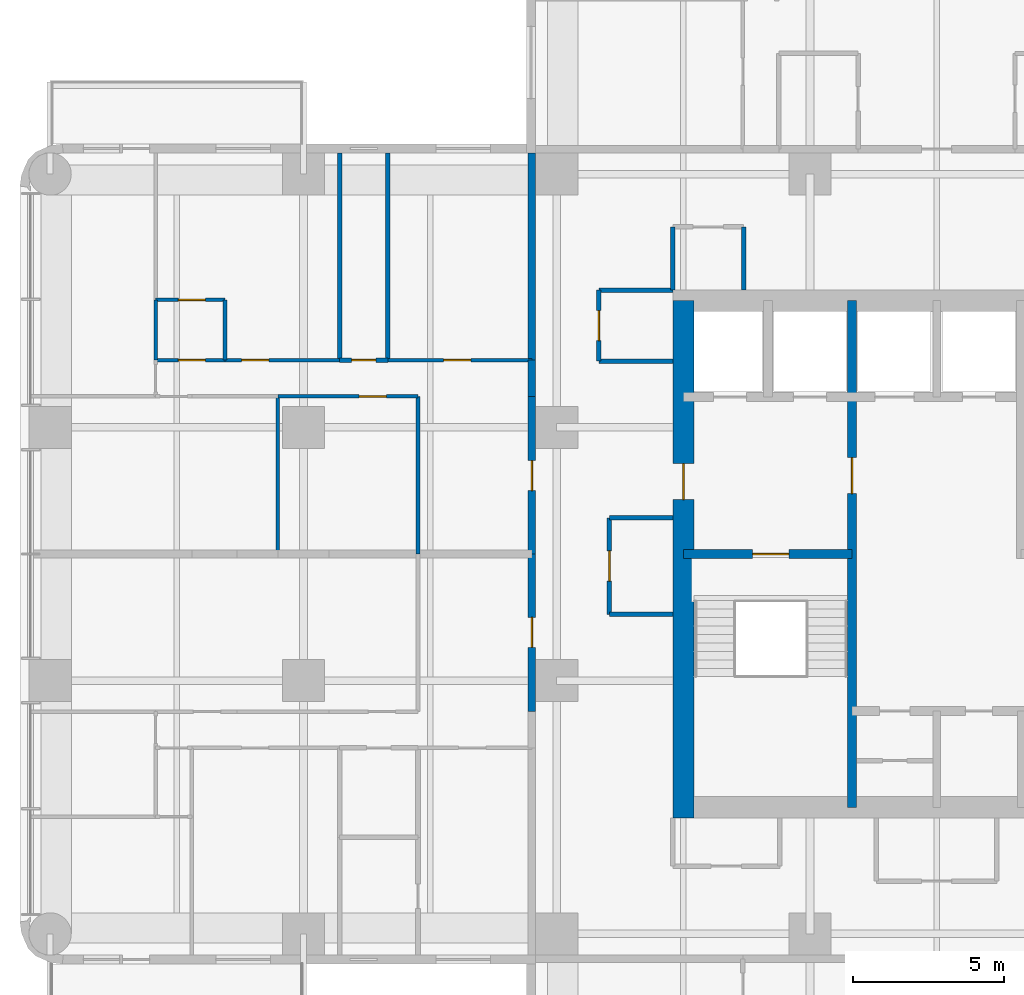
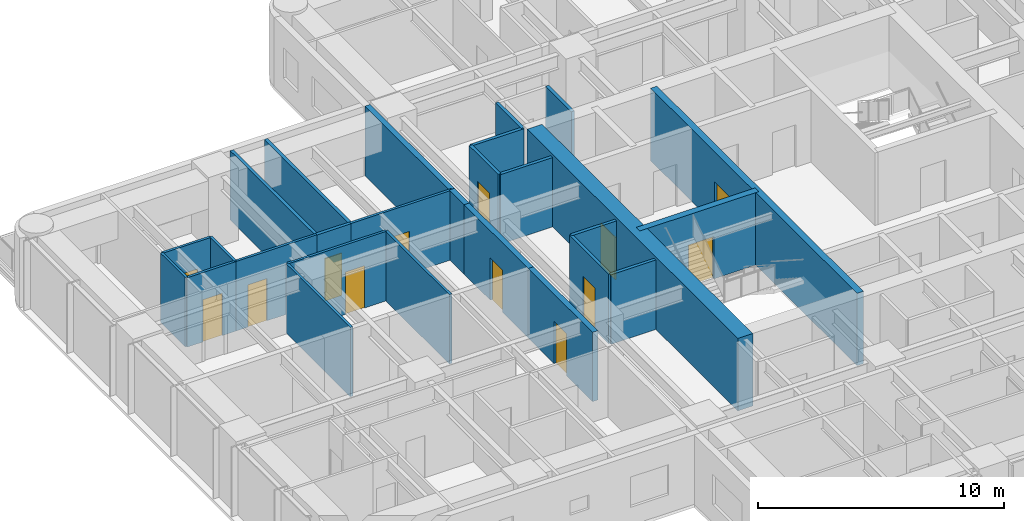
# One storey, part 6 of 12: 27 walls, 13 doors, 13 openings.
"""IFC4 building model written with IfcOpenShell, lengths in metres."""

from ifc_helpers import new_model, si_unit, direction, frame, frame_2d, origin, place, context, subcontext, project, spatial, rectangle, extrude, material, layer, layer_set, type_object, element, fill, save


model = new_model("IFC4")

# Units and contexts
model_context = context("Model", 3, precision=1e-05, world=origin(), true_north=direction((0.0, 1.0)))
body_context = subcontext(model_context, "Body", "Model", "MODEL_VIEW")
ifc_project = project(units=[si_unit("LENGTHUNIT", "METRE"), si_unit("AREAUNIT", "SQUARE_METRE"), si_unit("VOLUMEUNIT", "CUBIC_METRE"), si_unit("PLANEANGLEUNIT", "RADIAN"), si_unit("MASSUNIT", "GRAM", prefix="KILO")], contexts=[model_context])

# Site, building, storey
site_placement = place(None, origin())
site = spatial("IfcSite", under=ifc_project, at=site_placement, CompositionType="ELEMENT")
building_placement = place(site_placement, origin())
building = spatial("IfcBuilding", under=site, at=building_placement, Name="Torre Alcanfor", CompositionType="ELEMENT")
storey_placement = place(building_placement, frame((0.0, 0.0, 226.5)))
storey = spatial("IfcBuildingStorey", under=building, at=storey_placement, Name="L59", CompositionType="ELEMENT", Elevation=226.5)

# Wall, opening, door
ifc_material_1 = material(Name="Concrete block masonry, hollow blocks NMX-C-404 9 MPa", Category="masonry")
ifc_layer_1 = layer(ifc_material_1, 0.25)
ifc_layer_set_1 = layer_set([ifc_layer_1], Name="Apartment entrance wall 250 EI 60")
wall_type_1 = type_object("IfcWallType", Name="Apartment entrance wall 250 EI 60", PredefinedType="PARTITIONING", material=ifc_layer_set_1)
wall_1_placement = place(storey_placement, frame((15.97509765625, 24.1708984375, 0.0), z_axis=(0.0, 0.0, 1.0), x_axis=(0.0, 1.0, 0.0)))
wall_1 = element("IfcWall", 1, at=wall_1_placement, inside=storey, type_object=wall_type_1, Name="Partition L59-CORR / L59-W1-ZAG", PredefinedType="PARTITIONING", context=body_context, shape_type="SweptSolid", body=[
    extrude(rectangle(XDim=5.22900390625, YDim=0.25, at=frame_2d((2.614501953125, 0.0))), origin(), (0.0, 0.0, 1.0), 3.449951171875),
])
opening_1_placement = place(wall_1_placement, frame((2.12890625, 0.0, 0.0)))
opening_1 = element("IfcOpeningElement", 2, at=opening_1_placement, cuts=wall_1, Name="Opening D-A1", PredefinedType="OPENING", context=body_context, shape_type="SweptSolid", body=[
    extrude(rectangle(XDim=1.0, YDim=2.10009765625, at=frame_2d((0.5, 1.050048828125))), frame((0.0, 0.135009765625, 0.0), z_axis=(0.0, -1.0, 0.0), x_axis=(1.0, 0.0, 0.0)), (0.0, 0.0, 1.0), 0.27001953125),
])
ifc_material_2 = material(Name="Galvanised steel sheet ASTM A653", Category="steel")
door_type_1 = type_object("IfcDoorType", Name="Apartment entrance door FD60 1000x2100", OperationType="SINGLE_SWING_LEFT", PredefinedType="DOOR", material=ifc_material_2)
door_1_placement = place(opening_1_placement, origin())
door_1 = element("IfcDoor", 3, at=door_1_placement, inside=storey, type_object=door_type_1, Name="Apartment entrance L59-W1", OperationType="SINGLE_SWING_RIGHT", OverallHeight=2.10009765625, OverallWidth=1.0, PredefinedType="DOOR", context=body_context, shape_type="SweptSolid", body=[
    extrude(rectangle(XDim=1.0, YDim=2.10009765625, at=frame_2d((0.5, 1.050048828125))), frame((0.0, 0.02490234375, 0.0), z_axis=(0.0, -1.0, 0.0), x_axis=(1.0, 0.0, 0.0)), (0.0, 0.0, 1.0), 0.050048828125),
])
fill(opening_1, door_1)

wall_2_placement = place(storey_placement, frame((15.97509765625, 29.39990234375, 0.0), z_axis=(0.0, 0.0, 1.0), x_axis=(0.0, 1.0, 0.0)))
wall_2 = element("IfcWall", 4, at=wall_2_placement, inside=storey, type_object=wall_type_1, Name="Partition L59-CORR / L59-W2-ZAG", PredefinedType="PARTITIONING", context=body_context, shape_type="SweptSolid", body=[
    extrude(rectangle(XDim=5.22900390625, YDim=0.25, at=frame_2d((2.614501953125, 0.0))), origin(), (0.0, 0.0, 1.0), 3.449951171875),
])
opening_2_placement = place(wall_2_placement, frame((2.10009765625, 0.0, 0.0)))
opening_2 = element("IfcOpeningElement", 5, at=opening_2_placement, cuts=wall_2, Name="Opening D-A1", PredefinedType="OPENING", context=body_context, shape_type="SweptSolid", body=[
    extrude(rectangle(XDim=1.0, YDim=2.10009765625, at=frame_2d((0.5, 1.050048828125))), frame((0.0, 0.135009765625, 0.0), z_axis=(0.0, -1.0, 0.0), x_axis=(1.0, 0.0, 0.0)), (0.0, 0.0, 1.0), 0.27001953125),
])
door_2_placement = place(opening_2_placement, origin())
door_2 = element("IfcDoor", 6, at=door_2_placement, inside=storey, type_object=door_type_1, Name="Apartment entrance L59-W2", OperationType="SINGLE_SWING_LEFT", OverallHeight=2.10009765625, OverallWidth=1.0, PredefinedType="DOOR", context=body_context, shape_type="SweptSolid", body=[
    extrude(rectangle(XDim=1.0, YDim=2.10009765625, at=frame_2d((0.5, 1.050048828125))), frame((0.0, 0.02490234375, 0.0), z_axis=(0.0, -1.0, 0.0), x_axis=(1.0, 0.0, 0.0)), (0.0, 0.0, 1.0), 0.050048828125),
])
fill(opening_2, door_2)

# Walls
wall_3_placement = place(storey_placement, frame((15.97509765625, 34.62890625, 0.0), z_axis=(0.0, 0.0, 1.0), x_axis=(0.0, 1.0, 0.0)))
element("IfcWall", 7, at=wall_3_placement, inside=storey, type_object=wall_type_1, Name="Partition L59-CORR / L59-W2-HALL", PredefinedType="PARTITIONING", context=body_context, shape_type="SweptSolid", body=[
    extrude(rectangle(XDim=1.2001953125, YDim=0.25, at=frame_2d((0.60009765625, 0.0))), origin(), (0.0, 0.0, 1.0), 3.449951171875),
])
wall_4_placement = place(storey_placement, frame((15.97509765625, 35.8291015625, 0.0), z_axis=(0.0, 0.0, 1.0), x_axis=(0.0, 1.0, 0.0)))
element("IfcWall", 8, at=wall_4_placement, inside=storey, type_object=wall_type_1, Name="Partition L59-CORR / L59-W2-BED2", PredefinedType="PARTITIONING", context=body_context, shape_type="SweptSolid", body=[
    extrude(rectangle(XDim=6.870849609375, YDim=0.25, at=frame_2d((3.435546875, 0.0))), origin(), (0.0, 0.0, 1.0), 3.449951171875),
])
ifc_material_3 = material(Name="Gypsum board on steel studs", Category="steel")
ifc_layer_2 = layer(ifc_material_3, 0.1201171875)
ifc_layer_set_2 = layer_set([ifc_layer_2], Name="Apartment partition 120")
wall_type_2 = type_object("IfcWallType", Name="Apartment partition 120", PredefinedType="PARTITIONING", material=ifc_layer_set_2)
for number, where, z_axis, x_axis, name in (
    (9, (12.199951171875, 29.39990234375, 0.0), (0.0, 0.0, 1.0), (0.0, 1.0, 0.0), "Partition L59-W2-ZAG / L59-W2-FAMILY"),
    (10, (7.550048828125, 29.39990234375, 0.0), (0.0, 0.0, 1.0), (0.0, 1.0, 0.0), "Partition L59-W2-FAMILY / L59-W2-KITCHEN"),
):
    element("IfcWall", number, at=place(storey_placement, frame(where, z_axis=z_axis, x_axis=x_axis)), inside=storey, type_object=wall_type_2, Name=name, PredefinedType="PARTITIONING", context=body_context, shape_type="SweptSolid", body=[
        extrude(rectangle(XDim=5.22900390625, YDim=0.1201171875, at=frame_2d((2.614501953125, 0.0))), origin(), (0.0, 0.0, 1.0), 3.449951171875),
    ])

# Wall, opening, door
wall_5_placement = place(storey_placement, frame((7.550048828125, 34.62890625, 0.0), z_axis=(0.0, 0.0, 1.0), x_axis=(1.0, 0.0, 0.0)))
wall_5 = element("IfcWall", 11, at=wall_5_placement, inside=storey, type_object=wall_type_2, Name="Partition L59-W2-FAMILY / L59-W2-HALL", PredefinedType="PARTITIONING", context=body_context, shape_type="SweptSolid", body=[
    extrude(rectangle(XDim=4.64990234375, YDim=0.1201171875, at=frame_2d((2.324951171875, 0.0))), origin(), (0.0, 0.0, 1.0), 3.449951171875),
])
opening_3_placement = place(wall_5_placement, frame((2.699951171875, 0.0, 0.0)))
opening_3 = element("IfcOpeningElement", 12, at=opening_3_placement, cuts=wall_5, Name="Opening D-R1", PredefinedType="OPENING", context=body_context, shape_type="SweptSolid", body=[
    extrude(rectangle(XDim=0.89990234375, YDim=2.10009765625, at=frame_2d((0.449951171875, 1.050048828125))), frame((0.0, 0.070068359375, 0.0), z_axis=(0.0, -1.0, 0.0), x_axis=(1.0, 0.0, 0.0)), (0.0, 0.0, 1.0), 0.14013671875),
])
ifc_material_4 = material(Name="Timber", Category="wood")
door_type_2 = type_object("IfcDoorType", Name="Internal door 900x2100", OperationType="SINGLE_SWING_LEFT", PredefinedType="DOOR", material=ifc_material_4)
door_3_placement = place(opening_3_placement, frame((0.89990234375, 0.0, 0.0), z_axis=(0.0, 0.0, 1.0), x_axis=(-1.0, 0.0, 0.0)))
door_3 = element("IfcDoor", 13, at=door_3_placement, inside=storey, type_object=door_type_2, Name="Door L59-W2 family", OperationType="SINGLE_SWING_LEFT", OverallHeight=2.10009765625, OverallWidth=0.89990234375, PredefinedType="DOOR", context=body_context, shape_type="SweptSolid", body=[
    extrude(rectangle(XDim=0.89990234375, YDim=2.10009765625, at=frame_2d((0.449951171875, 1.050048828125))), frame((0.0, 0.025146484375, 0.0), z_axis=(0.0, -1.0, 0.0), x_axis=(1.0, 0.0, 0.0)), (0.0, 0.0, 1.0), 0.050048828125),
])
fill(opening_3, door_3)

wall_6_placement = place(storey_placement, frame((11.199951171875, 35.8291015625, 0.0), z_axis=(0.0, 0.0, 1.0), x_axis=(1.0, 0.0, 0.0)))
wall_6 = element("IfcWall", 14, at=wall_6_placement, inside=storey, type_object=wall_type_2, Name="Partition L59-W2-HALL / L59-W2-BED2", PredefinedType="PARTITIONING", context=body_context, shape_type="SweptSolid", body=[
    extrude(rectangle(XDim=4.775146484375, YDim=0.1201171875, at=frame_2d((2.3876953125, 0.0))), origin(), (0.0, 0.0, 1.0), 3.449951171875),
])
opening_4_placement = place(wall_6_placement, frame((1.85009765625, 0.0, 0.0)))
opening_4 = element("IfcOpeningElement", 15, at=opening_4_placement, cuts=wall_6, Name="Opening D-R1", PredefinedType="OPENING", context=body_context, shape_type="SweptSolid", body=[
    extrude(rectangle(XDim=0.89990234375, YDim=2.10009765625, at=frame_2d((0.449951171875, 1.050048828125))), frame((0.0, 0.070068359375, 0.0), z_axis=(0.0, -1.0, 0.0), x_axis=(1.0, 0.0, 0.0)), (0.0, 0.0, 1.0), 0.14013671875),
])
door_4_placement = place(opening_4_placement, origin())
door_4 = element("IfcDoor", 16, at=door_4_placement, inside=storey, type_object=door_type_2, Name="Door L59-W2 bed2", OperationType="SINGLE_SWING_LEFT", OverallHeight=2.10009765625, OverallWidth=0.89990234375, PredefinedType="DOOR", context=body_context, shape_type="SweptSolid", body=[
    extrude(rectangle(XDim=0.89990234375, YDim=2.10009765625, at=frame_2d((0.449951171875, 1.050048828125))), frame((0.0, 0.02490234375, 0.0), z_axis=(0.0, -1.0, 0.0), x_axis=(1.0, 0.0, 0.0)), (0.0, 0.0, 1.0), 0.050048828125),
])
fill(opening_4, door_4)

wall_7_placement = place(storey_placement, frame((5.800048828125, 35.8291015625, 0.0), z_axis=(0.0, 0.0, 1.0), x_axis=(1.0, 0.0, 0.0)))
wall_7 = element("IfcWall", 17, at=wall_7_placement, inside=storey, type_object=wall_type_2, Name="Partition L59-W2-HALL / L59-W2-MASTER", PredefinedType="PARTITIONING", context=body_context, shape_type="SweptSolid", body=[
    extrude(rectangle(XDim=3.800048828125, YDim=0.1201171875, at=frame_2d((1.89990234375, 0.0))), origin(), (0.0, 0.0, 1.0), 3.449951171875),
])
opening_5_placement = place(wall_7_placement, frame((0.550048828125, 0.0, 0.0)))
opening_5 = element("IfcOpeningElement", 18, at=opening_5_placement, cuts=wall_7, Name="Opening D-R1", PredefinedType="OPENING", context=body_context, shape_type="SweptSolid", body=[
    extrude(rectangle(XDim=0.89990234375, YDim=2.10009765625, at=frame_2d((0.449951171875, 1.050048828125))), frame((0.0, 0.070068359375, 0.0), z_axis=(0.0, -1.0, 0.0), x_axis=(1.0, 0.0, 0.0)), (0.0, 0.0, 1.0), 0.14013671875),
])
door_5_placement = place(opening_5_placement, origin())
door_5 = element("IfcDoor", 19, at=door_5_placement, inside=storey, type_object=door_type_2, Name="Door L59-W2 master", OperationType="SINGLE_SWING_LEFT", OverallHeight=2.10009765625, OverallWidth=0.89990234375, PredefinedType="DOOR", context=body_context, shape_type="SweptSolid", body=[
    extrude(rectangle(XDim=0.89990234375, YDim=2.10009765625, at=frame_2d((0.449951171875, 1.050048828125))), frame((0.0, 0.02490234375, 0.0), z_axis=(0.0, -1.0, 0.0), x_axis=(1.0, 0.0, 0.0)), (0.0, 0.0, 1.0), 0.050048828125),
])
fill(opening_5, door_5)

wall_8_placement = place(storey_placement, frame((3.5, 35.8291015625, 0.0), z_axis=(0.0, 0.0, 1.0), x_axis=(1.0, 0.0, 0.0)))
wall_8 = element("IfcWall", 20, at=wall_8_placement, inside=storey, type_object=wall_type_2, Name="Partition L59-W2-HALL / L59-W2-VEST", PredefinedType="PARTITIONING", context=body_context, shape_type="SweptSolid", body=[
    extrude(rectangle(XDim=2.300048828125, YDim=0.1201171875, at=frame_2d((1.14990234375, 0.0))), origin(), (0.0, 0.0, 1.0), 3.449951171875),
])
opening_6_placement = place(wall_8_placement, frame((0.75, 0.0, 0.0)))
opening_6 = element("IfcOpeningElement", 21, at=opening_6_placement, cuts=wall_8, Name="Opening D-R1", PredefinedType="OPENING", context=body_context, shape_type="SweptSolid", body=[
    extrude(rectangle(XDim=0.89990234375, YDim=2.10009765625, at=frame_2d((0.449951171875, 1.050048828125))), frame((0.0, 0.070068359375, 0.0), z_axis=(0.0, -1.0, 0.0), x_axis=(1.0, 0.0, 0.0)), (0.0, 0.0, 1.0), 0.14013671875),
])
door_6_placement = place(opening_6_placement, origin())
door_6 = element("IfcDoor", 22, at=door_6_placement, inside=storey, type_object=door_type_2, Name="Door L59-W2 vest", OperationType="SINGLE_SWING_RIGHT", OverallHeight=2.10009765625, OverallWidth=0.89990234375, PredefinedType="DOOR", context=body_context, shape_type="SweptSolid", body=[
    extrude(rectangle(XDim=0.89990234375, YDim=2.10009765625, at=frame_2d((0.449951171875, 1.050048828125))), frame((0.0, 0.02490234375, 0.0), z_axis=(0.0, -1.0, 0.0), x_axis=(1.0, 0.0, 0.0)), (0.0, 0.0, 1.0), 0.050048828125),
])
fill(opening_6, door_6)

# Wall
wall_9_placement = place(storey_placement, frame((5.800048828125, 35.8291015625, 0.0), z_axis=(0.0, 0.0, 1.0), x_axis=(0.0, 1.0, 0.0)))
element("IfcWall", 23, at=wall_9_placement, inside=storey, type_object=wall_type_2, Name="Partition L59-W2-MASTER / L59-W2-VEST", PredefinedType="PARTITIONING", context=body_context, shape_type="SweptSolid", body=[
    extrude(rectangle(XDim=2.0, YDim=0.1201171875, at=frame_2d((1.0, 0.0))), origin(), (0.0, 0.0, 1.0), 3.449951171875),
])

# Wall, opening, door
wall_10_placement = place(storey_placement, frame((5.800048828125, 37.8291015625, 0.0), z_axis=(0.0, 0.0, 1.0), x_axis=(-1.0, 0.0, 0.0)))
wall_10 = element("IfcWall", 24, at=wall_10_placement, inside=storey, type_object=wall_type_2, Name="Partition L59-W2-MASTER / L59-W2-VEST", PredefinedType="PARTITIONING", context=body_context, shape_type="SweptSolid", body=[
    extrude(rectangle(XDim=2.300048828125, YDim=0.1201171875, at=frame_2d((1.14990234375, 0.0))), origin(), (0.0, 0.0, 1.0), 3.449951171875),
])
opening_7_placement = place(wall_10_placement, frame((0.64990234375, 0.0, 0.0)))
opening_7 = element("IfcOpeningElement", 25, at=opening_7_placement, cuts=wall_10, Name="Opening D-R1", PredefinedType="OPENING", context=body_context, shape_type="SweptSolid", body=[
    extrude(rectangle(XDim=0.89990234375, YDim=2.10009765625, at=frame_2d((0.449951171875, 1.050048828125))), frame((0.0, 0.070068359375, 0.0), z_axis=(0.0, -1.0, 0.0), x_axis=(1.0, 0.0, 0.0)), (0.0, 0.0, 1.0), 0.14013671875),
])
door_7_placement = place(opening_7_placement, origin())
door_7 = element("IfcDoor", 26, at=door_7_placement, inside=storey, type_object=door_type_2, Name="Door L59-W2 master", OperationType="SINGLE_SWING_LEFT", OverallHeight=2.10009765625, OverallWidth=0.89990234375, PredefinedType="DOOR", context=body_context, shape_type="SweptSolid", body=[
    extrude(rectangle(XDim=0.89990234375, YDim=2.10009765625, at=frame_2d((0.449951171875, 1.050048828125))), frame((0.0, 0.02490234375, 0.0), z_axis=(0.0, -1.0, 0.0), x_axis=(1.0, 0.0, 0.0)), (0.0, 0.0, 1.0), 0.050048828125),
])
fill(opening_7, door_7)

# Wall
wall_11_placement = place(storey_placement, frame((3.5, 35.8291015625, 0.0), z_axis=(0.0, 0.0, 1.0), x_axis=(0.0, 1.0, 0.0)))
element("IfcWall", 27, at=wall_11_placement, inside=storey, type_object=wall_type_2, Name="Partition L59-W2-VEST / L59-W2-WGARD", PredefinedType="PARTITIONING", context=body_context, shape_type="SweptSolid", body=[
    extrude(rectangle(XDim=2.0, YDim=0.1201171875, at=frame_2d((1.0, 0.0))), origin(), (0.0, 0.0, 1.0), 3.449951171875),
])

# Wall, opening, door
ifc_material_5 = material(Name="Concrete f'c 70 MPa", Category="concrete")
ifc_layer_3 = layer(ifc_material_5, 0.300048828125)
ifc_layer_set_3 = layer_set([ifc_layer_3], Name="Core inner wall 300 f'c70")
wall_type_3 = type_object("IfcWallType", Name="Core inner wall 300 f'c70", PredefinedType="SHEAR", material=ifc_layer_set_3)
wall_12_placement = place(storey_placement, frame((26.60009765625, 21.0, 0.0), z_axis=(0.0, 0.0, 1.0), x_axis=(0.0, 1.0, 0.0)))
wall_12 = element("IfcWall", 28, at=wall_12_placement, inside=storey, type_object=wall_type_3, Name="Core wall X266 L59", PredefinedType="SHEAR", context=body_context, shape_type="SweptSolid", body=[
    extrude(rectangle(XDim=16.800048828125, YDim=0.300048828125, at=frame_2d((8.39990234375, 0.0))), origin(), (0.0, 0.0, 1.0), 3.60009765625),
])
opening_8_placement = place(wall_12_placement, frame((10.39990234375, 0.0, 0.0)))
opening_8 = element("IfcOpeningElement", 29, at=opening_8_placement, cuts=wall_12, Name="Opening D-L1", PredefinedType="OPENING", context=body_context, shape_type="SweptSolid", body=[
    extrude(rectangle(XDim=1.199951171875, YDim=2.10009765625, at=frame_2d((0.60009765625, 1.050048828125))), frame((0.0, 0.159912109375, 0.0), z_axis=(0.0, -1.0, 0.0), x_axis=(1.0, 0.0, 0.0)), (0.0, 0.0, 1.0), 0.320068359375),
])
ifc_material_6 = material(Name="Galvanised steel sheet ASTM A653", Category="steel")
door_type_3 = type_object("IfcDoorType", Name="Lobby door FD120 1200x2100", OperationType="SINGLE_SWING_LEFT", PredefinedType="DOOR", material=ifc_material_6)
door_8_placement = place(opening_8_placement, origin())
door_8 = element("IfcDoor", 30, at=door_8_placement, inside=storey, type_object=door_type_3, Name="Lift lobby door L59", OperationType="SINGLE_SWING_LEFT", OverallHeight=2.10009765625, OverallWidth=1.199951171875, PredefinedType="DOOR", context=body_context, shape_type="SweptSolid", body=[
    extrude(rectangle(XDim=1.199951171875, YDim=2.10009765625, at=frame_2d((0.60009765625, 1.050048828125))), frame((0.0, 0.02490234375, 0.0), z_axis=(0.0, -1.0, 0.0), x_axis=(1.0, 0.0, 0.0)), (0.0, 0.0, 1.0), 0.050048828125),
])
fill(opening_8, door_8)

wall_13_placement = place(storey_placement, frame((21.0, 29.39990234375, 0.0), z_axis=(0.0, 0.0, 1.0), x_axis=(1.0, 0.0, 0.0)))
wall_13 = element("IfcWall", 31, at=wall_13_placement, inside=storey, type_object=wall_type_3, Name="Core wall Y294W L59", PredefinedType="SHEAR", context=body_context, shape_type="SweptSolid", body=[
    extrude(rectangle(XDim=5.60009765625, YDim=0.300048828125, at=frame_2d((2.800048828125, 0.0))), origin(), (0.0, 0.0, 1.0), 3.60009765625),
])
opening_9_placement = place(wall_13_placement, frame((2.300048828125, 0.0, 0.0)))
opening_9 = element("IfcOpeningElement", 32, at=opening_9_placement, cuts=wall_13, Name="Opening D-S2", PredefinedType="OPENING", context=body_context, shape_type="SweptSolid", body=[
    extrude(rectangle(XDim=1.199951171875, YDim=2.10009765625, at=frame_2d((0.60009765625, 1.050048828125))), frame((0.0, 0.159912109375, 0.0), z_axis=(0.0, -1.0, 0.0), x_axis=(1.0, 0.0, 0.0)), (0.0, 0.0, 1.0), 0.320068359375),
])
ifc_material_7 = material(Name="Galvanised steel sheet ASTM A653", Category="steel")
door_type_4 = type_object("IfcDoorType", Name="Stair enclosure door FD120 1200x2100", OperationType="SINGLE_SWING_LEFT", PredefinedType="DOOR", material=ifc_material_7)
door_9_placement = place(opening_9_placement, frame((1.199951171875, 0.0, 0.0), z_axis=(0.0, 0.0, 1.0), x_axis=(-1.0, 0.0, 0.0)))
door_9 = element("IfcDoor", 33, at=door_9_placement, inside=storey, type_object=door_type_4, Name="Stair S1 door L59", OperationType="SINGLE_SWING_LEFT", OverallHeight=2.10009765625, OverallWidth=1.199951171875, PredefinedType="DOOR", context=body_context, shape_type="SweptSolid", body=[
    extrude(rectangle(XDim=1.199951171875, YDim=2.10009765625, at=frame_2d((0.599853515625, 1.050048828125))), frame((0.0, 0.025146484375, 0.0), z_axis=(0.0, -1.0, 0.0), x_axis=(1.0, 0.0, 0.0)), (0.0, 0.0, 1.0), 0.050048828125),
])
fill(opening_9, door_9)

ifc_material_8 = material(Name="Concrete f'c 70 MPa", Category="concrete")
ifc_layer_4 = layer(ifc_material_8, 0.699951171875)
ifc_layer_set_4 = layer_set([ifc_layer_4], Name="Core wall 700 f'c70")
wall_type_4 = type_object("IfcWallType", Name="Core wall 700 f'c70", PredefinedType="SHEAR", material=ifc_layer_set_4)
wall_14_placement = place(storey_placement, frame((21.0, 37.800048828125, 0.0), z_axis=(0.0, 0.0, 1.0), x_axis=(0.0, -1.0, 0.0)))
wall_14 = element("IfcWall", 34, at=wall_14_placement, inside=storey, type_object=wall_type_4, Name="Core wall OUT-W L59", PredefinedType="SHEAR", context=body_context, shape_type="SweptSolid", body=[
    extrude(rectangle(XDim=17.150146484375, YDim=0.699951171875, at=frame_2d((8.5751953125, 0.0))), origin(), (0.0, 0.0, 1.0), 3.60009765625),
])
opening_10_placement = place(wall_14_placement, frame((5.39990234375, 0.0, 0.0)))
opening_10 = element("IfcOpeningElement", 35, at=opening_10_placement, cuts=wall_14, Name="Opening D-L1", PredefinedType="OPENING", context=body_context, shape_type="SweptSolid", body=[
    extrude(rectangle(XDim=1.199951171875, YDim=2.10009765625, at=frame_2d((0.60009765625, 1.050048828125))), frame((0.0, 0.35986328125, 0.0), z_axis=(0.0, -1.0, 0.0), x_axis=(1.0, 0.0, 0.0)), (0.0, 0.0, 1.0), 0.719970703125),
])
door_10_placement = place(opening_10_placement, origin())
door_10 = element("IfcDoor", 36, at=door_10_placement, inside=storey, type_object=door_type_3, Name="Firefighting lobby door L59", OperationType="SINGLE_SWING_LEFT", OverallHeight=2.10009765625, OverallWidth=1.199951171875, PredefinedType="DOOR", context=body_context, shape_type="SweptSolid", body=[
    extrude(rectangle(XDim=1.199951171875, YDim=2.10009765625, at=frame_2d((0.60009765625, 1.050048828125))), frame((0.0, 0.02490234375, 0.0), z_axis=(0.0, -1.0, 0.0), x_axis=(1.0, 0.0, 0.0)), (0.0, 0.0, 1.0), 0.050048828125),
])
fill(opening_10, door_10)

# Walls
ifc_material_9 = material(Name="Concrete block masonry, hollow blocks NMX-C-404 9 MPa", Category="masonry")
ifc_layer_5 = layer(ifc_material_9, 0.14990234375)
ifc_layer_set_5 = layer_set([ifc_layer_5], Name="Residents' room partition 150")
wall_type_5 = type_object("IfcWallType", Name="Residents' room partition 150", PredefinedType="PARTITIONING", material=ifc_layer_set_5)
for number, where, z_axis, x_axis, name in (
    (37, (23.0, 38.14990234375, 0.0), (0.0, 0.0, 1.0), (0.0, 1.0, 0.0), "Partition L59-CORR / L59-G01"),
    (38, (20.64990234375, 40.25, 0.0), (0.0, 0.0, 1.0), (0.0, -1.0, 0.0), "Partition L59-CORR / L59-G01"),
):
    element("IfcWall", number, at=place(storey_placement, frame(where, z_axis=z_axis, x_axis=x_axis)), inside=storey, type_object=wall_type_5, Name=name, PredefinedType="PARTITIONING", context=body_context, shape_type="SweptSolid", body=[
        extrude(rectangle(XDim=2.10009765625, YDim=0.14990234375, at=frame_2d((1.050048828125, 0.0))), origin(), (0.0, 0.0, 1.0), 3.449951171875),
    ])
wall_15_placement = place(storey_placement, frame((20.64990234375, 30.60009765625, 0.0), z_axis=(0.0, 0.0, 1.0), x_axis=(-1.0, 0.0, 0.0)))
element("IfcWall", 39, at=wall_15_placement, inside=storey, type_object=wall_type_5, Name="Partition L59-CORR / L59-G08", PredefinedType="PARTITIONING", context=body_context, shape_type="SweptSolid", body=[
    extrude(rectangle(XDim=2.099853515625, YDim=0.14990234375, at=frame_2d((1.0498046875, 0.0))), origin(), (0.0, 0.0, 1.0), 3.449951171875),
])

# Wall, opening, door
wall_16_placement = place(storey_placement, frame((18.550048828125, 30.60009765625, 0.0), z_axis=(0.0, 0.0, 1.0), x_axis=(0.0, -1.0, 0.0)))
wall_16 = element("IfcWall", 40, at=wall_16_placement, inside=storey, type_object=wall_type_5, Name="Partition L59-CORR / L59-G08", PredefinedType="PARTITIONING", context=body_context, shape_type="SweptSolid", body=[
    extrude(rectangle(XDim=3.2001953125, YDim=0.14990234375, at=frame_2d((1.60009765625, 0.0))), origin(), (0.0, 0.0, 1.0), 3.449951171875),
])
opening_11_placement = place(wall_16_placement, frame((1.10009765625, 0.0, 0.0)))
opening_11 = element("IfcOpeningElement", 41, at=opening_11_placement, cuts=wall_16, Name="Opening D-M1", PredefinedType="OPENING", context=body_context, shape_type="SweptSolid", body=[
    extrude(rectangle(XDim=1.0, YDim=2.10009765625, at=frame_2d((0.5, 1.050048828125))), frame((0.0, 0.0849609375, 0.0), z_axis=(0.0, -1.0, 0.0), x_axis=(1.0, 0.0, 0.0)), (0.0, 0.0, 1.0), 0.169921875),
])
ifc_material_10 = material(Name="Timber", Category="wood")
door_type_5 = type_object("IfcDoorType", Name="Residents' room door 1000x2100", OperationType="SINGLE_SWING_LEFT", PredefinedType="DOOR", material=ifc_material_10)
door_11_placement = place(opening_11_placement, origin())
door_11 = element("IfcDoor", 42, at=door_11_placement, inside=storey, type_object=door_type_5, Name="Door L59-G08 parcel room", OperationType="SINGLE_SWING_LEFT", OverallHeight=2.10009765625, OverallWidth=1.0, PredefinedType="DOOR", context=body_context, shape_type="SweptSolid", body=[
    extrude(rectangle(XDim=1.0, YDim=2.10009765625, at=frame_2d((0.5, 1.050048828125))), frame((0.0, 0.02490234375, 0.0), z_axis=(0.0, -1.0, 0.0), x_axis=(1.0, 0.0, 0.0)), (0.0, 0.0, 1.0), 0.050048828125),
])
fill(opening_11, door_11)

# Walls
wall_17_placement = place(storey_placement, frame((18.550048828125, 27.39990234375, 0.0), z_axis=(0.0, 0.0, 1.0), x_axis=(1.0, 0.0, 0.0)))
element("IfcWall", 43, at=wall_17_placement, inside=storey, type_object=wall_type_5, Name="Partition L59-CORR / L59-G08", PredefinedType="PARTITIONING", context=body_context, shape_type="SweptSolid", body=[
    extrude(rectangle(XDim=2.099853515625, YDim=0.14990234375, at=frame_2d((1.0498046875, 0.0))), origin(), (0.0, 0.0, 1.0), 3.449951171875),
])
wall_18_placement = place(storey_placement, frame((20.64990234375, 38.14990234375, 0.0), z_axis=(0.0, 0.0, 1.0), x_axis=(-1.0, 0.0, 0.0)))
element("IfcWall", 44, at=wall_18_placement, inside=storey, type_object=wall_type_5, Name="Partition L59-CORR / L59-G09", PredefinedType="PARTITIONING", context=body_context, shape_type="SweptSolid", body=[
    extrude(rectangle(XDim=2.449951171875, YDim=0.14990234375, at=frame_2d((1.22509765625, 0.0))), origin(), (0.0, 0.0, 1.0), 3.449951171875),
])

# Wall, opening, door
wall_19_placement = place(storey_placement, frame((18.199951171875, 38.14990234375, 0.0), z_axis=(0.0, 0.0, 1.0), x_axis=(0.0, -1.0, 0.0)))
wall_19 = element("IfcWall", 45, at=wall_19_placement, inside=storey, type_object=wall_type_5, Name="Partition L59-CORR / L59-G09", PredefinedType="PARTITIONING", context=body_context, shape_type="SweptSolid", body=[
    extrude(rectangle(XDim=2.349853515625, YDim=0.14990234375, at=frame_2d((1.1748046875, 0.0))), origin(), (0.0, 0.0, 1.0), 3.449951171875),
])
opening_12_placement = place(wall_19_placement, frame((0.675048828125, 0.0, 0.0)))
opening_12 = element("IfcOpeningElement", 46, at=opening_12_placement, cuts=wall_19, Name="Opening D-M1", PredefinedType="OPENING", context=body_context, shape_type="SweptSolid", body=[
    extrude(rectangle(XDim=1.0, YDim=2.10009765625, at=frame_2d((0.5, 1.050048828125))), frame((0.0, 0.0849609375, 0.0), z_axis=(0.0, -1.0, 0.0), x_axis=(1.0, 0.0, 0.0)), (0.0, 0.0, 1.0), 0.169921875),
])
door_12_placement = place(opening_12_placement, origin())
door_12 = element("IfcDoor", 47, at=door_12_placement, inside=storey, type_object=door_type_5, Name="Door L59-G09 cleaners' store", OperationType="SINGLE_SWING_LEFT", OverallHeight=2.10009765625, OverallWidth=1.0, PredefinedType="DOOR", context=body_context, shape_type="SweptSolid", body=[
    extrude(rectangle(XDim=1.0, YDim=2.10009765625, at=frame_2d((0.5, 1.050048828125))), frame((0.0, 0.02490234375, 0.0), z_axis=(0.0, -1.0, 0.0), x_axis=(1.0, 0.0, 0.0)), (0.0, 0.0, 1.0), 0.050048828125),
])
fill(opening_12, door_12)

# Wall
wall_20_placement = place(storey_placement, frame((18.199951171875, 35.800048828125, 0.0), z_axis=(0.0, 0.0, 1.0), x_axis=(1.0, 0.0, 0.0)))
element("IfcWall", 48, at=wall_20_placement, inside=storey, type_object=wall_type_5, Name="Partition L59-CORR / L59-G09", PredefinedType="PARTITIONING", context=body_context, shape_type="SweptSolid", body=[
    extrude(rectangle(XDim=2.449951171875, YDim=0.14990234375, at=frame_2d((1.22509765625, 0.0))), origin(), (0.0, 0.0, 1.0), 3.449951171875),
])

# Wall, opening, door
ifc_material_11 = material(Name="Cement board on steel studs", Category="steel")
ifc_layer_6 = layer(ifc_material_11, 0.14990234375)
ifc_layer_set_6 = layer_set([ifc_layer_6], Name="Wet area partition 150")
wall_type_6 = type_object("IfcWallType", Name="Wet area partition 150", PredefinedType="PARTITIONING", material=ifc_layer_set_6)
wall_21_placement = place(storey_placement, frame((9.60009765625, 35.8291015625, 0.0), z_axis=(0.0, 0.0, 1.0), x_axis=(1.0, 0.0, 0.0)))
wall_21 = element("IfcWall", 49, at=wall_21_placement, inside=storey, type_object=wall_type_6, Name="Partition L59-W2-HALL / L59-W2-BATH1", PredefinedType="PARTITIONING", context=body_context, shape_type="SweptSolid", body=[
    extrude(rectangle(XDim=1.599853515625, YDim=0.14990234375, at=frame_2d((0.7998046875, 0.0))), origin(), (0.0, 0.0, 1.0), 3.449951171875),
])
opening_13_placement = place(wall_21_placement, frame((0.39990234375, 0.0, 0.0)))
opening_13 = element("IfcOpeningElement", 50, at=opening_13_placement, cuts=wall_21, Name="Opening D-R2", PredefinedType="OPENING", context=body_context, shape_type="SweptSolid", body=[
    extrude(rectangle(XDim=0.800048828125, YDim=2.10009765625, at=frame_2d((0.39990234375, 1.050048828125))), frame((0.0, 0.0849609375, 0.0), z_axis=(0.0, -1.0, 0.0), x_axis=(1.0, 0.0, 0.0)), (0.0, 0.0, 1.0), 0.169921875),
])
ifc_material_12 = material(Name="Timber", Category="wood")
door_type_6 = type_object("IfcDoorType", Name="Bathroom door 800x2100", OperationType="SINGLE_SWING_LEFT", PredefinedType="DOOR", material=ifc_material_12)
door_13_placement = place(opening_13_placement, origin())
door_13 = element("IfcDoor", 51, at=door_13_placement, inside=storey, type_object=door_type_6, Name="Door L59-W2 bath1", OperationType="SINGLE_SWING_LEFT", OverallHeight=2.10009765625, OverallWidth=0.800048828125, PredefinedType="DOOR", context=body_context, shape_type="SweptSolid", body=[
    extrude(rectangle(XDim=0.800048828125, YDim=2.10009765625, at=frame_2d((0.39990234375, 1.050048828125))), frame((0.0, 0.02490234375, 0.0), z_axis=(0.0, -1.0, 0.0), x_axis=(1.0, 0.0, 0.0)), (0.0, 0.0, 1.0), 0.050048828125),
])
fill(opening_13, door_13)

# Walls
for number, where, z_axis, x_axis, name in (
    (52, (11.199951171875, 35.8291015625, 0.0), (0.0, 0.0, 1.0), (0.0, 1.0, 0.0), "Partition L59-W2-BED2 / L59-W2-BATH1"),
    (53, (9.60009765625, 35.8291015625, 0.0), (0.0, 0.0, 1.0), (0.0, 1.0, 0.0), "Partition L59-W2-BATH1 / L59-W2-MASTER"),
):
    element("IfcWall", number, at=place(storey_placement, frame(where, z_axis=z_axis, x_axis=x_axis)), inside=storey, type_object=wall_type_6, Name=name, PredefinedType="PARTITIONING", context=body_context, shape_type="SweptSolid", body=[
        extrude(rectangle(XDim=6.870849609375, YDim=0.14990234375, at=frame_2d((3.435546875, 0.0))), origin(), (0.0, 0.0, 1.0), 3.449951171875),
    ])

save(model, "model.ifc")
